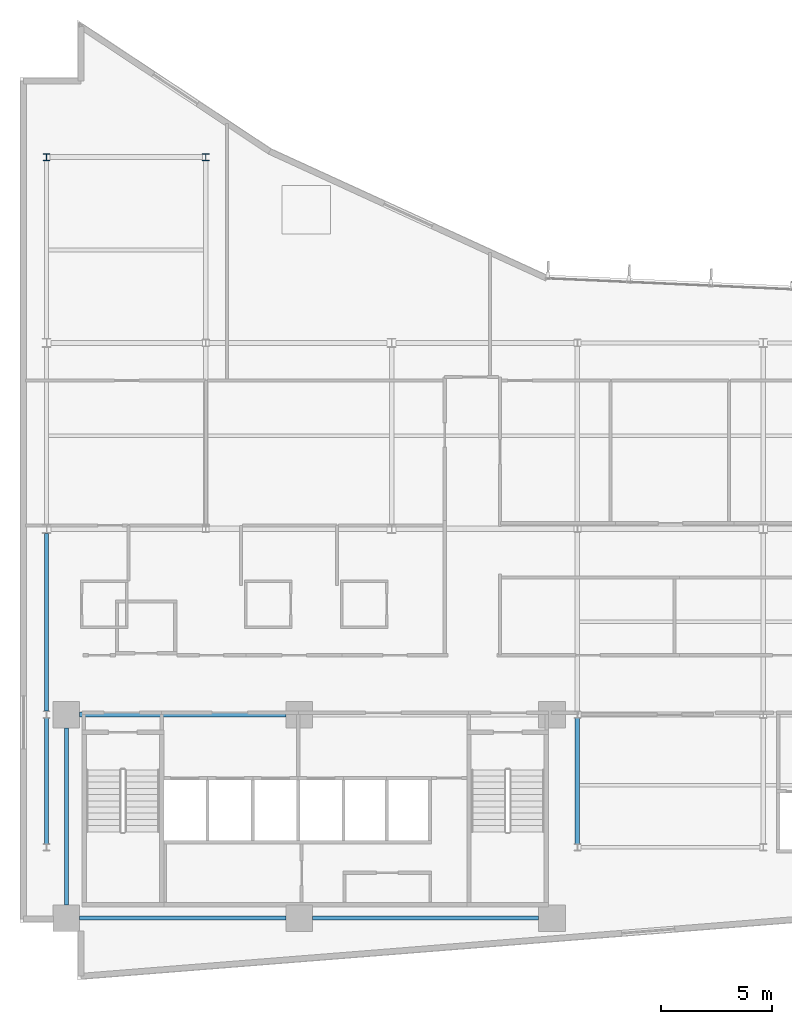
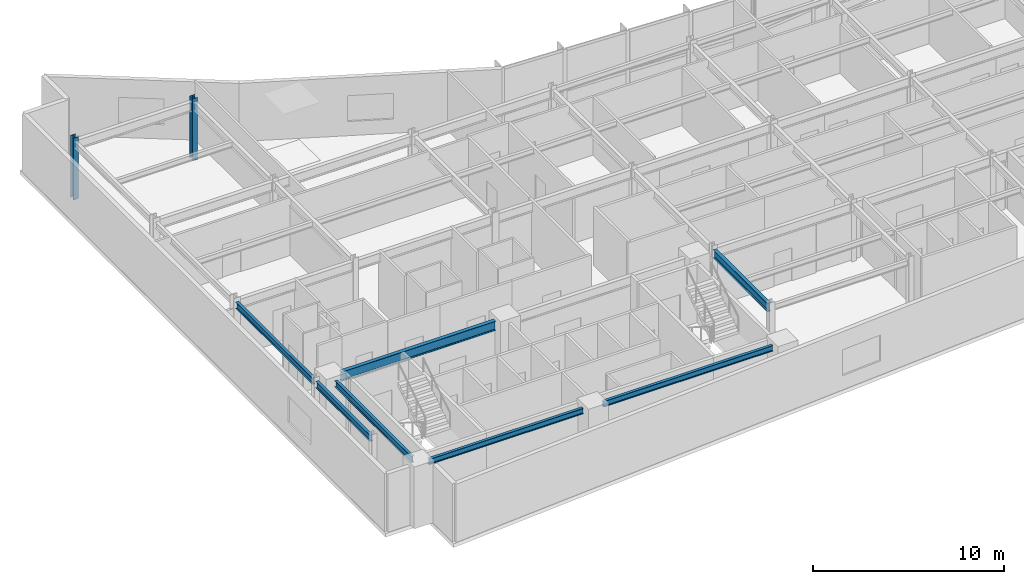
# One storey, part 3 of 18: 7 beams, 2 columns.
"""IFC4 building model written with IfcOpenShell, lengths in metres."""

from ifc_helpers import new_model, si_unit, direction, frame, origin, origin_2d, place, context, subcontext, project, spatial, i_section, extrude, material, material_profile, profile_set, type_object, element, save


model = new_model("IFC4")

# Units and contexts
model_context = context("Model", 3, precision=1e-05, world=origin(), true_north=direction((0.0, 1.0)))
body_context = subcontext(model_context, "Body", "Model", "MODEL_VIEW")
ifc_project = project(units=[si_unit("LENGTHUNIT", "METRE"), si_unit("AREAUNIT", "SQUARE_METRE"), si_unit("VOLUMEUNIT", "CUBIC_METRE"), si_unit("PLANEANGLEUNIT", "RADIAN"), si_unit("MASSUNIT", "GRAM", prefix="KILO")], contexts=[model_context])

# Site, building, storey
site_placement = place(None, origin())
site = spatial("IfcSite", under=ifc_project, at=site_placement, CompositionType="ELEMENT")
building_placement = place(site_placement, origin())
building = spatial("IfcBuilding", under=site, at=building_placement, Name="Varnakote Quay Hospital", CompositionType="ELEMENT")
storey_placement = place(building_placement, frame((0.0, 0.0, 150.75)))
storey = spatial("IfcBuildingStorey", under=building, at=storey_placement, Name="L37", CompositionType="ELEMENT", Elevation=150.75)

# Columns
ifc_material_1 = material(Name="Structural steel AS/NZS 3679.1 Grade 350 L0 (fy 340 MPa)", Category="steel")
ifc_material_profile_1 = material_profile(ifc_material_1, i_section(OverallWidth=0.306884765625, OverallDepth=0.31494140625, WebThickness=0.011962890625, FlangeThickness=0.018798828125, FilletRadius=0.0166015625, at=origin_2d()), Name="310UC118")
ifc_profile_set_1 = profile_set([ifc_material_profile_1], Name="Structural steel AS/NZS 3679.1 Grade 350 L0 (fy 340 MPa)")
column_type = type_object("IfcColumnType", Name="COL-STL-310UC118", PredefinedType="COLUMN", material=ifc_profile_set_1)
for number, where, z_axis, x_axis, name in (
    (1, (1.199951171875, 37.199951171875, 0.0), (0.0, 0.0, 1.0), (1.0, 0.0, 0.0), "L37 Structural Column C-1-37"),
    (2, (8.39990234375, 37.199951171875, 0.0), (0.0, 0.0, 1.0), (1.0, 0.0, 0.0), "L37 Structural Column C-8-37"),
):
    element("IfcColumn", number, at=place(storey_placement, frame(where, z_axis=z_axis, x_axis=x_axis)), inside=storey, type_object=column_type, Name=name, PredefinedType="COLUMN", context=body_context, shape_type="SweptSolid", body=[
        extrude(i_section(OverallWidth=0.306884765625, OverallDepth=0.31494140625, WebThickness=0.011962890625, FlangeThickness=0.018798828125, FilletRadius=0.0166015625, at=origin_2d()), origin(), (0.0, 0.0, 1.0), 3.949951171875),
    ])

# Beams
ifc_material_2 = material(Name="Structural steel AS/NZS 3679.1 Grade 350 L0 (fy 340 MPa)", Category="steel")
ifc_material_profile_2 = material_profile(ifc_material_2, i_section(OverallWidth=0.208984375, OverallDepth=0.532958984375, WebThickness=0.01025390625, FlangeThickness=0.015625, FilletRadius=0.013916015625, at=origin_2d()), Name="530UB92.4")
ifc_profile_set_2 = profile_set([ifc_material_profile_2], Name="Structural steel AS/NZS 3679.1 Grade 350 L0 (fy 340 MPa)")
beam_type_1 = type_object("IfcBeamType", Name="BM-STL-530UB92-4", PredefinedType="BEAM", material=ifc_profile_set_2)
beam_1_placement = place(storey_placement, frame((25.199951171875, 6.157470703125, 3.443603515625), z_axis=(0.0, 1.0, 0.0), x_axis=(-1.0, 0.0, 0.0)))
element("IfcBeam", 3, at=beam_1_placement, inside=storey, type_object=beam_type_1, Name="L37 Primary Tie Beam", PredefinedType="BEAM", context=body_context, shape_type="SweptSolid", body=[
    extrude(i_section(OverallWidth=0.208984375, OverallDepth=0.532958984375, WebThickness=0.01025390625, FlangeThickness=0.015625, FilletRadius=0.013916015625, at=origin_2d()), origin(), (0.0, 0.0, 1.0), 5.68505859375),
])
ifc_material_3 = material(Name="Structural steel AS/NZS 3679.1 Grade 350 L0 (fy 340 MPa)", Category="steel")
ifc_material_profile_3 = material_profile(ifc_material_3, i_section(OverallWidth=0.22802734375, OverallDepth=0.60205078125, WebThickness=0.010498046875, FlangeThickness=0.014892578125, FilletRadius=0.013916015625, at=origin_2d()), Name="610UB101")
ifc_profile_set_3 = profile_set([ifc_material_profile_3], Name="Structural steel AS/NZS 3679.1 Grade 350 L0 (fy 340 MPa)")
beam_type_2 = type_object("IfcBeamType", Name="BM-STL-610UB101", PredefinedType="BEAM", material=ifc_profile_set_3)
beam_2_placement = place(storey_placement, frame((2.699951171875, 12.0, 3.408935546875), z_axis=(1.0, 0.0, 0.0), x_axis=(0.0, 1.0, 0.0)))
element("IfcBeam", 4, at=beam_2_placement, inside=storey, type_object=beam_type_2, Name="L37 Primary Floor Beam", PredefinedType="BEAM", context=body_context, shape_type="SweptSolid", body=[
    extrude(i_section(OverallWidth=0.22802734375, OverallDepth=0.60205078125, WebThickness=0.010498046875, FlangeThickness=0.014892578125, FilletRadius=0.013916015625, at=origin_2d()), origin(), (0.0, 0.0, 1.0), 9.320068359375),
])
ifc_material_4 = material(Name="Structural steel AS/NZS 3679.1 Grade 350 L0 (fy 340 MPa)", Category="steel")
ifc_material_profile_4 = material_profile(ifc_material_4, i_section(OverallWidth=0.172119140625, OverallDepth=0.35888671875, WebThickness=0.008056640625, FlangeThickness=0.012939453125, FilletRadius=0.011474609375, at=origin_2d()), Name="360UB56.7")
ifc_profile_set_4 = profile_set([ifc_material_profile_4], Name="Structural steel AS/NZS 3679.1 Grade 350 L0 (fy 340 MPa)")
beam_type_3 = type_object("IfcBeamType", Name="SPN-STL-360UB56-7", PredefinedType="SPANDREL", material=ifc_profile_set_4)
beam_3_placement = place(storey_placement, frame((2.699951171875, 2.800048828125, 3.530517578125), z_axis=(1.0, 0.0, 0.0), x_axis=(0.0, 1.0, 0.0)))
element("IfcBeam", 5, at=beam_3_placement, inside=storey, type_object=beam_type_3, Name="L37 Perimeter Spandrel Beam", PredefinedType="SPANDREL", context=body_context, shape_type="SweptSolid", body=[
    extrude(i_section(OverallWidth=0.172119140625, OverallDepth=0.35888671875, WebThickness=0.008056640625, FlangeThickness=0.012939453125, FilletRadius=0.011474609375, at=origin_2d()), origin(), (0.0, 0.0, 1.0), 9.320068359375),
])
beam_4_placement = place(storey_placement, frame((13.219970703125, 2.800048828125, 3.530517578125), z_axis=(1.0, 0.0, 0.0), x_axis=(0.0, 1.0, 0.0)))
element("IfcBeam", 6, at=beam_4_placement, inside=storey, type_object=beam_type_3, Name="L37 Perimeter Spandrel Beam", PredefinedType="SPANDREL", context=body_context, shape_type="SweptSolid", body=[
    extrude(i_section(OverallWidth=0.172119140625, OverallDepth=0.35888671875, WebThickness=0.008056640625, FlangeThickness=0.012939453125, FilletRadius=0.011474609375, at=origin_2d()), origin(), (0.0, 0.0, 1.0), 10.22998046875),
])
ifc_material_5 = material(Name="Structural steel AS/NZS 3679.1 Grade 350 L0 (fy 340 MPa)", Category="steel")
ifc_material_profile_5 = material_profile(ifc_material_5, i_section(OverallWidth=0.177978515625, OverallDepth=0.403076171875, WebThickness=0.007568359375, FlangeThickness=0.010986328125, FilletRadius=0.011474609375, at=origin_2d()), Name="410UB53.7")
ifc_profile_set_5 = profile_set([ifc_material_profile_5], Name="Structural steel AS/NZS 3679.1 Grade 350 L0 (fy 340 MPa)")
beam_type_4 = type_object("IfcBeamType", Name="SPN-STL-410UB53-7", PredefinedType="SPANDREL", material=ifc_profile_set_5)
beam_5_placement = place(storey_placement, frame((1.199951171875, 6.157470703125, 3.508544921875), z_axis=(0.0, 1.0, 0.0), x_axis=(-1.0, 0.0, 0.0)))
element("IfcBeam", 7, at=beam_5_placement, inside=storey, type_object=beam_type_4, Name="L37 Perimeter Spandrel Beam", PredefinedType="SPANDREL", context=body_context, shape_type="SweptSolid", body=[
    extrude(i_section(OverallWidth=0.177978515625, OverallDepth=0.403076171875, WebThickness=0.007568359375, FlangeThickness=0.010986328125, FilletRadius=0.011474609375, at=origin_2d()), origin(), (0.0, 0.0, 1.0), 5.68505859375),
])
beam_6_placement = place(storey_placement, frame((1.199951171875, 12.157470703125, 3.508544921875), z_axis=(0.0, 1.0, 0.0), x_axis=(-1.0, 0.0, 0.0)))
element("IfcBeam", 8, at=beam_6_placement, inside=storey, type_object=beam_type_4, Name="L37 Perimeter Spandrel Beam", PredefinedType="SPANDREL", context=body_context, shape_type="SweptSolid", body=[
    extrude(i_section(OverallWidth=0.177978515625, OverallDepth=0.403076171875, WebThickness=0.007568359375, FlangeThickness=0.010986328125, FilletRadius=0.011474609375, at=origin_2d()), origin(), (0.0, 0.0, 1.0), 8.032470703125),
])
beam_7_placement = place(storey_placement, frame((2.10009765625, 3.39990234375, 3.508544921875), z_axis=(0.0, 1.0, 0.0), x_axis=(-1.0, 0.0, 0.0)))
element("IfcBeam", 9, at=beam_7_placement, inside=storey, type_object=beam_type_4, Name="L37 Perimeter Spandrel Beam", PredefinedType="SPANDREL", context=body_context, shape_type="SweptSolid", body=[
    extrude(i_section(OverallWidth=0.177978515625, OverallDepth=0.403076171875, WebThickness=0.007568359375, FlangeThickness=0.010986328125, FilletRadius=0.011474609375, at=origin_2d()), origin(), (0.0, 0.0, 1.0), 8.0),
])

save(model, "model.ifc")
